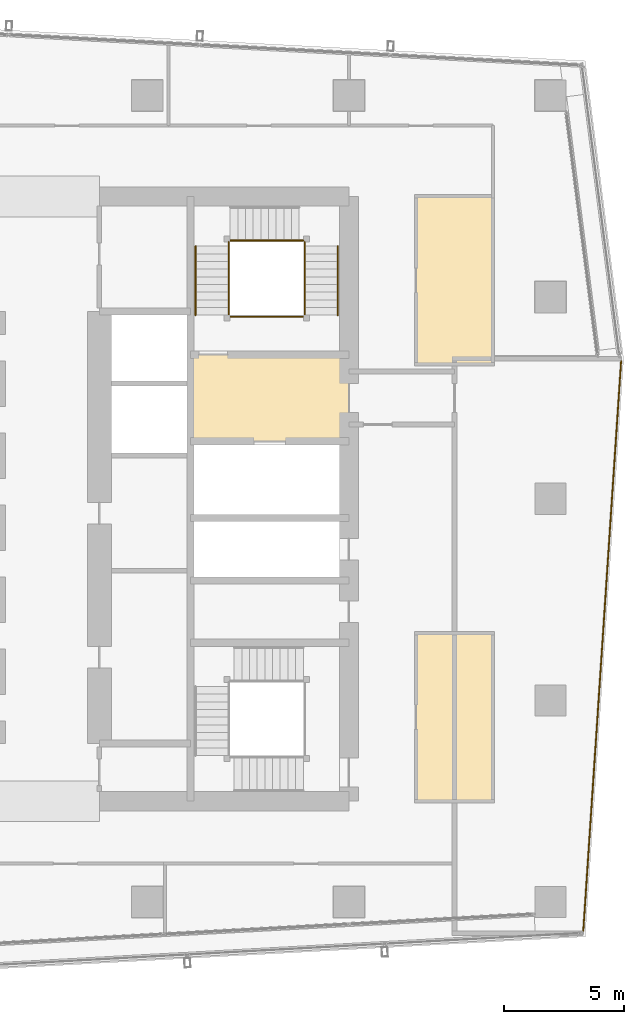
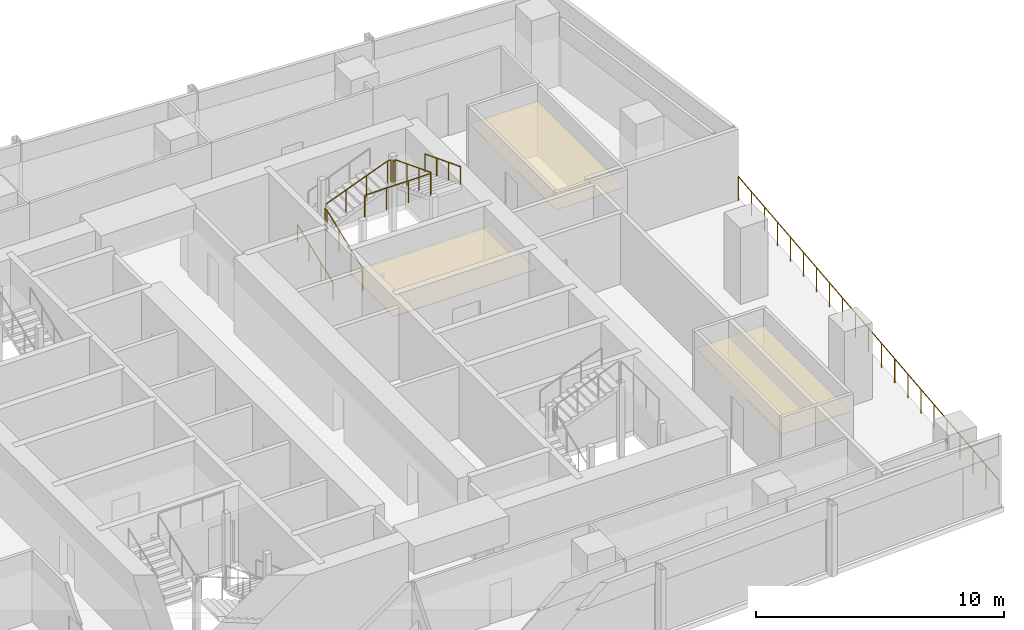
# One storey, part 27 of 28: 10 railings, 3 coverings.
"""IFC4 building model written with IfcOpenShell, lengths in metres."""

from ifc_helpers import new_model, si_unit, direction, frame, origin, origin_2d, place, context, subcontext, project, spatial, polyline, circle, outline, extrude, material, layer, layer_set, type_object, element, save


model = new_model("IFC4")

# Units and contexts
model_context = context("Model", 3, precision=1e-05, world=origin(), true_north=direction((0.0, 1.0)))
body_context = subcontext(model_context, "Body", "Model", "MODEL_VIEW")
ifc_project = project(units=[si_unit("LENGTHUNIT", "METRE"), si_unit("AREAUNIT", "SQUARE_METRE"), si_unit("VOLUMEUNIT", "CUBIC_METRE"), si_unit("PLANEANGLEUNIT", "RADIAN"), si_unit("MASSUNIT", "GRAM", prefix="KILO")], contexts=[model_context])

# Site, building, storey
site_placement = place(None, origin())
site = spatial("IfcSite", under=ifc_project, at=site_placement, CompositionType="ELEMENT")
building_placement = place(site_placement, origin())
building = spatial("IfcBuilding", under=site, at=building_placement, Name="Rekha Terrace Tower", CompositionType="ELEMENT")
storey_placement = place(building_placement, frame((0.0, 0.0, 253.85009765625)))
storey = spatial("IfcBuildingStorey", under=building, at=storey_placement, Name="L64", CompositionType="ELEMENT", Elevation=253.85009765625)

# Coverings
ifc_material_1 = material(Name="Fibre cement board", Category="finish")
ifc_layer_1 = layer(ifc_material_1, 0.014892578125)
ifc_layer_set_1 = layer_set([ifc_layer_1], Name="Fibre cement board")
covering_type_1 = type_object("IfcCoveringType", Name="CL2 moisture-resistant board ceiling", PredefinedType="CEILING", material=ifc_layer_set_1)
covering_1_placement = place(storey_placement, frame((0.0, 0.0, 2.5849609375)))
element("IfcCovering", 1, at=covering_1_placement, inside=storey, type_object=covering_type_1, Name="Ceiling L64-WCF", PredefinedType="CEILING", context=body_context, shape_type="SweptSolid", body=[
    extrude(outline(polyline([(56.39990234375, 46.199951171875), (53.199951171875, 46.199951171875), (53.199951171875, 39.199951171875), (56.39990234375, 39.199951171875), (56.39990234375, 46.199951171875)])), origin(), (0.0, 0.0, 1.0), 0.014892578125),
])
covering_2_placement = place(storey_placement, frame((0.0, 0.0, 2.5849609375)))
element("IfcCovering", 2, at=covering_2_placement, inside=storey, type_object=covering_type_1, Name="Ceiling L64-WCM2", PredefinedType="CEILING", context=body_context, shape_type="SweptSolid", body=[
    extrude(outline(polyline([(56.39990234375, 28.0), (53.199951171875, 28.0), (53.199951171875, 21.0), (56.39990234375, 21.0), (56.39990234375, 28.0)])), origin(), (0.0, 0.0, 1.0), 0.014892578125),
])
ifc_material_2 = material(Name="Powder-coated aluminium pan", Category="aluminium")
ifc_layer_2 = layer(ifc_material_2, 0.030029296875)
ifc_layer_set_2 = layer_set([ifc_layer_2], Name="Powder-coated aluminium pan")
covering_type_2 = type_object("IfcCoveringType", Name="CL3 300x1200 metal pan ceiling", PredefinedType="CEILING", material=ifc_layer_set_2)
covering_3_placement = place(storey_placement, frame((0.0, 0.0, 2.56982421875)))
element("IfcCovering", 3, at=covering_3_placement, inside=storey, type_object=covering_type_2, Name="Ceiling L64-FLB2", PredefinedType="CEILING", context=body_context, shape_type="SweptSolid", body=[
    extrude(outline(polyline([(50.39990234375, 39.60009765625), (43.800048828125, 39.60009765625), (43.800048828125, 36.0), (50.39990234375, 36.0), (50.39990234375, 39.60009765625)])), origin(), (0.0, 0.0, 1.0), 0.030029296875),
])

# Railings
ifc_material_3 = material(Name="Stainless steel balustrade", Category="steel")
railing_type_1 = type_object("IfcRailingType", Name="GR1 1100 stair guard", PredefinedType="GUARDRAIL", material=ifc_material_3)
railing_1_placement = place(storey_placement, frame((45.389892578125, 41.25, 0.125)))
element("IfcRailing", 4, at=railing_1_placement, inside=storey, type_object=railing_type_1, Name="Guard ST2 L64 flight 1", PredefinedType="GUARDRAIL", context=body_context, shape_type="SweptSolid", body=[
    extrude(circle(Radius=0.02392578125, at=origin_2d()), frame((0.0, 0.0, 1.076171875), z_axis=(0.0, 0.931452331594, 0.363863372667), x_axis=(-1.0, 0.0, 0.0)), (0.0, 0.0, 1.0), 3.091796875),
    extrude(circle(Radius=0.02099609375, at=origin_2d()), origin(), (0.0, 0.0, 1.0), 1.052001953125),
    extrude(circle(Radius=0.02099609375, at=origin_2d()), frame((0.0, 0.9599609375, 0.375)), (0.0, 0.0, 1.0), 1.052001953125),
    extrude(circle(Radius=0.02099609375, at=origin_2d()), frame((0.0, 1.919921875, 0.75)), (0.0, 0.0, 1.0), 1.052001953125),
    extrude(circle(Radius=0.02099609375, at=origin_2d()), frame((0.0, 2.8798828125, 1.125)), (0.0, 0.0, 1.0), 1.052001953125),
])
railing_2_placement = place(storey_placement, frame((45.449951171875, 44.360107421875, 1.375)))
element("IfcRailing", 5, at=railing_2_placement, inside=storey, type_object=railing_type_1, Name="Guard ST2 L64 flight 2", PredefinedType="GUARDRAIL", context=body_context, shape_type="SweptSolid", body=[
    extrude(circle(Radius=0.02392578125, at=origin_2d()), frame((0.0, 0.0, 1.076171875), z_axis=(0.931462784923, 0.0, 0.363836612098), x_axis=(0.0, 1.0, 0.0)), (0.0, 0.0, 1.0), 3.092041015625),
    extrude(circle(Radius=0.02099609375, at=origin_2d()), origin(), (0.0, 0.0, 1.0), 1.052001953125),
    extrude(circle(Radius=0.02099609375, at=origin_2d()), frame((0.9599609375, 0.0, 0.375)), (0.0, 0.0, 1.0), 1.052001953125),
    extrude(circle(Radius=0.02099609375, at=origin_2d()), frame((1.920166015625, 0.0, 0.75)), (0.0, 0.0, 1.0), 1.052001953125),
    extrude(circle(Radius=0.02099609375, at=origin_2d()), frame((2.880126953125, 0.0, 1.125)), (0.0, 0.0, 1.0), 1.052001953125),
])
railing_3_placement = place(storey_placement, frame((48.56005859375, 44.1298828125, 2.625)))
element("IfcRailing", 6, at=railing_3_placement, inside=storey, type_object=railing_type_1, Name="Guard ST2 L64 flight 3", PredefinedType="GUARDRAIL", context=body_context, shape_type="SweptSolid", body=[
    extrude(circle(Radius=0.02392578125, at=origin_2d()), frame((0.0, 0.0, 1.076171875), z_axis=(0.0, -0.931452331594, 0.363863372667), x_axis=(1.0, 0.0, 0.0)), (0.0, 0.0, 1.0), 3.091796875),
    extrude(circle(Radius=0.02099609375, at=origin_2d()), origin(), (0.0, 0.0, 1.0), 1.052001953125),
    extrude(circle(Radius=0.02099609375, at=origin_2d()), frame((0.0, -0.9599609375, 0.375)), (0.0, 0.0, 1.0), 1.052001953125),
    extrude(circle(Radius=0.02099609375, at=origin_2d()), frame((0.0, -1.919921875, 0.75)), (0.0, 0.0, 1.0), 1.052001953125),
    extrude(circle(Radius=0.02099609375, at=origin_2d()), frame((0.0, -2.8798828125, 1.125)), (0.0, 0.0, 1.0), 1.052001953125),
])
railing_4_placement = place(storey_placement, frame((45.389892578125, 44.1298828125, 1.25)))
element("IfcRailing", 7, at=railing_4_placement, inside=storey, type_object=railing_type_1, Name="Guard ST2 L64 landing 1", PredefinedType="GUARDRAIL", context=body_context, shape_type="SweptSolid", body=[
    extrude(circle(Radius=0.02392578125, at=origin_2d()), frame((0.0, 0.0, 1.076171875), z_axis=(0.0, 1.0, 0.0), x_axis=(-1.0, 0.0, 0.0)), (0.0, 0.0, 1.0), 0.170166015625),
    extrude(circle(Radius=0.02099609375, at=origin_2d()), origin(), (0.0, 0.0, 1.0), 1.052001953125),
    extrude(circle(Radius=0.02099609375, at=origin_2d()), frame((0.0, 0.170166015625, 0.0)), (0.0, 0.0, 1.0), 1.052001953125),
])
railing_5_placement = place(storey_placement, frame((48.330078125, 44.360107421875, 2.5)))
element("IfcRailing", 8, at=railing_5_placement, inside=storey, type_object=railing_type_1, Name="Guard ST2 L64 landing 2", PredefinedType="GUARDRAIL", context=body_context, shape_type="SweptSolid", body=[
    extrude(circle(Radius=0.02392578125, at=origin_2d()), frame((0.0, 0.0, 1.076171875), z_axis=(1.0, 0.0, 0.0), x_axis=(0.0, 1.0, 0.0)), (0.0, 0.0, 1.0), 0.169921875),
    extrude(circle(Radius=0.02099609375, at=origin_2d()), origin(), (0.0, 0.0, 1.0), 1.052001953125),
    extrude(circle(Radius=0.02099609375, at=origin_2d()), frame((0.169921875, 0.0, 0.0)), (0.0, 0.0, 1.0), 1.052001953125),
])
railing_6_placement = place(storey_placement, frame((48.56005859375, 44.1298828125, 2.5)))
element("IfcRailing", 9, at=railing_6_placement, inside=storey, type_object=railing_type_1, Name="Guard ST2 L64 landing 3", PredefinedType="GUARDRAIL", context=body_context, shape_type="SweptSolid", body=[
    extrude(circle(Radius=0.02392578125, at=origin_2d()), frame((0.0, 0.0, 1.076171875), z_axis=(0.0, 1.0, 0.0), x_axis=(-1.0, 0.0, 0.0)), (0.0, 0.0, 1.0), 0.170166015625),
    extrude(circle(Radius=0.02099609375, at=origin_2d()), origin(), (0.0, 0.0, 1.0), 1.052001953125),
    extrude(circle(Radius=0.02099609375, at=origin_2d()), frame((0.0, 0.170166015625, 0.0)), (0.0, 0.0, 1.0), 1.052001953125),
])
railing_7_placement = place(storey_placement, frame((45.449951171875, 41.18994140625, 3.75)))
element("IfcRailing", 10, at=railing_7_placement, inside=storey, type_object=railing_type_1, Name="Guard ST2 L64 landing 4", PredefinedType="GUARDRAIL", context=body_context, shape_type="SweptSolid", body=[
    extrude(circle(Radius=0.02392578125, at=origin_2d()), frame((0.0, 0.0, 1.076171875), z_axis=(1.0, 0.0, 0.0), x_axis=(0.0, 1.0, 0.0)), (0.0, 0.0, 1.0), 3.050048828125),
    extrude(circle(Radius=0.02099609375, at=origin_2d()), origin(), (0.0, 0.0, 1.0), 1.052001953125),
    extrude(circle(Radius=0.02099609375, at=origin_2d()), frame((1.0166015625, 0.0, 0.0)), (0.0, 0.0, 1.0), 1.052001953125),
    extrude(circle(Radius=0.02099609375, at=origin_2d()), frame((2.033447265625, 0.0, 0.0)), (0.0, 0.0, 1.0), 1.052001953125),
    extrude(circle(Radius=0.02099609375, at=origin_2d()), frame((3.050048828125, 0.0, 0.0)), (0.0, 0.0, 1.0), 1.052001953125),
])
ifc_material_4 = material(Name="Steel guard with vertical balusters", Category="steel")
railing_type_2 = type_object("IfcRailingType", Name="GR2 refuge area guard 1200", PredefinedType="GUARDRAIL", material=ifc_material_4)
railing_8_placement = place(storey_placement, frame((60.1669921875, 15.60205078125, 0.0)))
element("IfcRailing", 11, at=railing_8_placement, inside=storey, type_object=railing_type_2, Name="Refuge area guard L64", PredefinedType="GUARDRAIL", context=body_context, shape_type="SweptSolid", body=[
    extrude(circle(Radius=0.02392578125, at=origin_2d()), frame((0.0, 0.0, 1.17578125), z_axis=(0.066256720938, 0.997802609202, 0.0), x_axis=(-0.997802609202, 0.066256720938, 0.0)), (0.0, 0.0, 1.0), 23.78515625),
    extrude(circle(Radius=0.02099609375, at=origin_2d()), origin(), (0.0, 0.0, 1.0), 1.15185546875),
    extrude(circle(Radius=0.02099609375, at=origin_2d()), frame((0.078857421875, 1.1865234375, 0.0)), (0.0, 0.0, 1.0), 1.15185546875),
    extrude(circle(Radius=0.02099609375, at=origin_2d()), frame((0.15771484375, 2.373291015625, 0.0)), (0.0, 0.0, 1.0), 1.15185546875),
    extrude(circle(Radius=0.02099609375, at=origin_2d()), frame((0.236328125, 3.56005859375, 0.0)), (0.0, 0.0, 1.0), 1.15185546875),
    extrude(circle(Radius=0.02099609375, at=origin_2d()), frame((0.315185546875, 4.74658203125, 0.0)), (0.0, 0.0, 1.0), 1.15185546875),
    extrude(circle(Radius=0.02099609375, at=origin_2d()), frame((0.39404296875, 5.93310546875, 0.0)), (0.0, 0.0, 1.0), 1.15185546875),
    extrude(circle(Radius=0.02099609375, at=origin_2d()), frame((0.47265625, 7.119873046875, 0.0)), (0.0, 0.0, 1.0), 1.15185546875),
    extrude(circle(Radius=0.02099609375, at=origin_2d()), frame((0.551513671875, 8.306640625, 0.0)), (0.0, 0.0, 1.0), 1.15185546875),
    extrude(circle(Radius=0.02099609375, at=origin_2d()), frame((0.63037109375, 9.4931640625, 0.0)), (0.0, 0.0, 1.0), 1.15185546875),
    extrude(circle(Radius=0.02099609375, at=origin_2d()), frame((0.709228515625, 10.6796875, 0.0)), (0.0, 0.0, 1.0), 1.15185546875),
    extrude(circle(Radius=0.02099609375, at=origin_2d()), frame((0.7880859375, 11.866455078125, 0.0)), (0.0, 0.0, 1.0), 1.15185546875),
    extrude(circle(Radius=0.02099609375, at=origin_2d()), frame((0.86669921875, 13.05322265625, 0.0)), (0.0, 0.0, 1.0), 1.15185546875),
    extrude(circle(Radius=0.02099609375, at=origin_2d()), frame((0.945556640625, 14.23974609375, 0.0)), (0.0, 0.0, 1.0), 1.15185546875),
    extrude(circle(Radius=0.02099609375, at=origin_2d()), frame((1.0244140625, 15.42626953125, 0.0)), (0.0, 0.0, 1.0), 1.15185546875),
    extrude(circle(Radius=0.02099609375, at=origin_2d()), frame((1.10302734375, 16.613037109375, 0.0)), (0.0, 0.0, 1.0), 1.15185546875),
    extrude(circle(Radius=0.02099609375, at=origin_2d()), frame((1.181884765625, 17.7998046875, 0.0)), (0.0, 0.0, 1.0), 1.15185546875),
    extrude(circle(Radius=0.02099609375, at=origin_2d()), frame((1.2607421875, 18.986328125, 0.0)), (0.0, 0.0, 1.0), 1.15185546875),
    extrude(circle(Radius=0.02099609375, at=origin_2d()), frame((1.339599609375, 20.1728515625, 0.0)), (0.0, 0.0, 1.0), 1.15185546875),
    extrude(circle(Radius=0.02099609375, at=origin_2d()), frame((1.41845703125, 21.359619140625, 0.0)), (0.0, 0.0, 1.0), 1.15185546875),
    extrude(circle(Radius=0.02099609375, at=origin_2d()), frame((1.4970703125, 22.54638671875, 0.0)), (0.0, 0.0, 1.0), 1.15185546875),
    extrude(circle(Radius=0.02099609375, at=origin_2d()), frame((1.575927734375, 23.73291015625, 0.0)), (0.0, 0.0, 1.0), 1.15185546875),
])
ifc_material_5 = material(Name="Stainless steel tube", Category="steel")
railing_type_3 = type_object("IfcRailingType", Name="HR1 900 stair handrail", PredefinedType="HANDRAIL", material=ifc_material_5)
railing_9_placement = place(storey_placement, frame((44.010009765625, 41.25, 0.125)))
element("IfcRailing", 12, at=railing_9_placement, inside=storey, type_object=railing_type_3, Name="Handrail ST2 L64 flight 1", PredefinedType="HANDRAIL", context=body_context, shape_type="SweptSolid", body=[
    extrude(circle(Radius=0.02392578125, at=origin_2d()), frame((0.0, 0.0, 0.8759765625), z_axis=(0.0, 0.931452331594, 0.363863372667), x_axis=(-1.0, 0.0, 0.0)), (0.0, 0.0, 1.0), 3.091796875),
    extrude(circle(Radius=0.02099609375, at=origin_2d()), origin(), (0.0, 0.0, 1.0), 0.851806640625),
    extrude(circle(Radius=0.02099609375, at=origin_2d()), frame((0.0, 0.9599609375, 0.375)), (0.0, 0.0, 1.0), 0.851806640625),
    extrude(circle(Radius=0.02099609375, at=origin_2d()), frame((0.0, 1.919921875, 0.75)), (0.0, 0.0, 1.0), 0.851806640625),
    extrude(circle(Radius=0.02099609375, at=origin_2d()), frame((0.0, 2.8798828125, 1.125)), (0.0, 0.0, 1.0), 0.851806640625),
])
railing_10_placement = place(storey_placement, frame((49.93994140625, 44.1298828125, 2.625)))
element("IfcRailing", 13, at=railing_10_placement, inside=storey, type_object=railing_type_3, Name="Handrail ST2 L64 flight 3", PredefinedType="HANDRAIL", context=body_context, shape_type="SweptSolid", body=[
    extrude(circle(Radius=0.02392578125, at=origin_2d()), frame((0.0, 0.0, 0.8759765625), z_axis=(0.0, -0.931452331594, 0.363863372667), x_axis=(1.0, 0.0, 0.0)), (0.0, 0.0, 1.0), 3.091796875),
    extrude(circle(Radius=0.02099609375, at=origin_2d()), origin(), (0.0, 0.0, 1.0), 0.851806640625),
    extrude(circle(Radius=0.02099609375, at=origin_2d()), frame((0.0, -0.9599609375, 0.375)), (0.0, 0.0, 1.0), 0.851806640625),
    extrude(circle(Radius=0.02099609375, at=origin_2d()), frame((0.0, -1.919921875, 0.75)), (0.0, 0.0, 1.0), 0.851806640625),
    extrude(circle(Radius=0.02099609375, at=origin_2d()), frame((0.0, -2.8798828125, 1.125)), (0.0, 0.0, 1.0), 0.851806640625),
])

save(model, "model.ifc")
